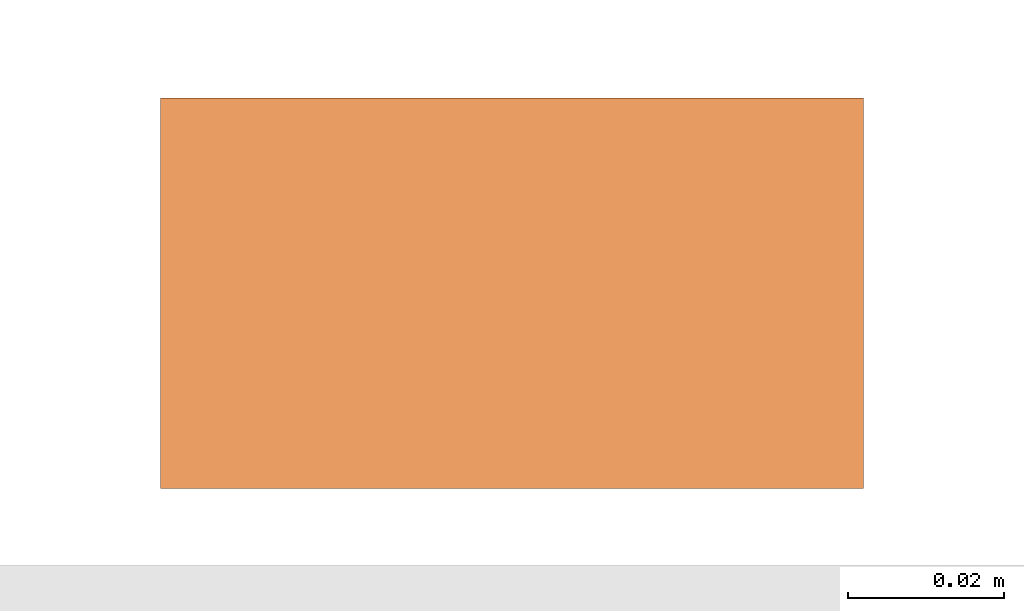
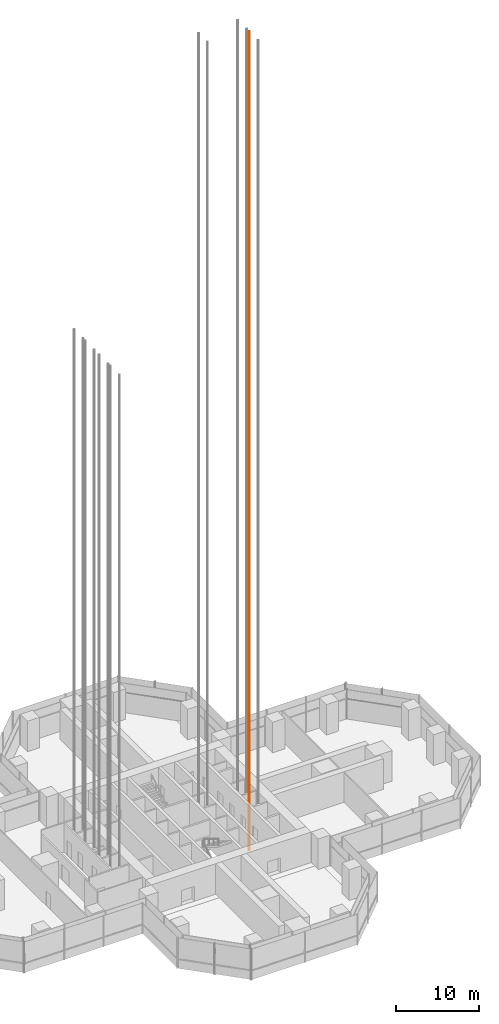
# One storey, part 30 of 34: 1 proxy.
"""IFC4 building model written with IfcOpenShell, lengths in metres."""

import ifcopenshell
import ifcopenshell.guid

model = None  # the IFC model being written
_history = None  # IfcOwnerHistory: only IFC2X3 demands one
_inside = {}  # id of a spatial element -> (the spatial element, [elements in it])
_under = {}  # id of a project, library or spatial element -> (it, [spatial elements below it])
_declared = {}  # id of a project -> (the project, [libraries it declares])
_typed = {}  # id of a type object -> (the type object, [elements of that type])
_made_of = {}  # id of a material, layer set ... -> (it, [elements and type objects made of it])


def new_model(schema):
    """Start an empty IFC model of exactly this schema.

    Asked for "IFC4X3", IfcOpenShell would pick the latest addendum, in which some entities
    have other attributes; the version numbers below select the first issue.
    IFC2X3 requires an IfcOwnerHistory on every rooted entity: one is made here for all.
    """
    global model, _history
    if schema == "IFC4X3":
        model = ifcopenshell.file(schema_version=(4, 3, 0, 0))
    else:
        model = ifcopenshell.file(schema=schema)
    _inside.clear()
    _under.clear()
    _declared.clear()
    _typed.clear()
    _made_of.clear()
    _history = None
    if model.schema == "IFC2X3":
        org = make("IfcOrganization", Name="unknown")
        user = make(
            "IfcPersonAndOrganization",
            ThePerson=make("IfcPerson", FamilyName="unknown"),
            TheOrganization=org,
        )
        app = make(
            "IfcApplication",
            ApplicationDeveloper=org,
            Version="unknown",
            ApplicationFullName="unknown",
            ApplicationIdentifier="unknown",
        )
        _history = make(
            "IfcOwnerHistory",
            OwningUser=user,
            OwningApplication=app,
            ChangeAction="ADDED",
            CreationDate=0,
        )
    return model


def make(cls, **values):
    """One entity of the class cls with the attributes given. An attribute that is None is left unset."""
    return model.create_entity(
        cls, **{name: value for name, value in values.items() if value is not None}
    )


def rooted(cls, **values):
    """An entity with a GlobalId (a new one), such as an element, a storey or a relation."""
    return make(cls, GlobalId=ifcopenshell.guid.new(), OwnerHistory=_history, **values)


def si_unit(unit_type, name, prefix=None):
    """IfcSIUnit, for example si_unit("LENGTHUNIT", "METRE", prefix="MILLI")."""
    return make("IfcSIUnit", UnitType=unit_type, Prefix=prefix, Name=name)


def assignment(units):
    """IfcUnitAssignment: the units of a project."""
    return None if units is None else make("IfcUnitAssignment", Units=units)


def point(xyz):
    """IfcCartesianPoint."""
    return None if xyz is None else make("IfcCartesianPoint", Coordinates=xyz)


def direction(xyz):
    """IfcDirection."""
    return None if xyz is None else make("IfcDirection", DirectionRatios=xyz)


def frame(location, z_axis=None, x_axis=None):
    """IfcAxis2Placement3D, a coordinate frame: its origin and axes. An axis left out is left unset."""
    return make(
        "IfcAxis2Placement3D",
        Location=point(location),
        Axis=direction(z_axis),
        RefDirection=direction(x_axis),
    )


def frame_2d(location, x_axis=None):
    """IfcAxis2Placement2D, a coordinate frame in the plane: its origin and x axis."""
    return make(
        "IfcAxis2Placement2D", Location=point(location), RefDirection=direction(x_axis)
    )


def origin():
    """The frame at (0, 0, 0) with its axes left unset."""
    return frame((0.0, 0.0, 0.0))


def origin_2d():
    """The frame at (0, 0) in the plane with its x axis left unset."""
    return frame_2d((0.0, 0.0))


def place(relative_to, where):
    """IfcLocalPlacement: puts the frame where relative to a parent placement (None: the world)."""
    return make(
        "IfcLocalPlacement", PlacementRelTo=relative_to, RelativePlacement=where
    )


def context(
    kind, dimensions, precision=None, world=None, true_north=None, identifier=None
):
    """IfcGeometricRepresentationContext, for example the 3D "Model" context."""
    return make(
        "IfcGeometricRepresentationContext",
        ContextIdentifier=identifier,
        ContextType=kind,
        CoordinateSpaceDimension=dimensions,
        Precision=precision,
        WorldCoordinateSystem=world,
        TrueNorth=true_north,
    )


def subcontext(parent, identifier, kind, view, scale=None):
    """IfcGeometricRepresentationSubContext, for example "Body" below "Model"."""
    return make(
        "IfcGeometricRepresentationSubContext",
        ContextIdentifier=identifier,
        ContextType=kind,
        ParentContext=parent,
        TargetScale=scale,
        TargetView=view,
    )


def project(units=None, contexts=None):
    """IfcProject with its units and contexts."""
    return rooted(
        "IfcProject",
        Name="project",
        RepresentationContexts=contexts,
        UnitsInContext=assignment(units),
    )


def spatial(cls, under=None, at=None, **own):
    """A site, building, storey or space (cls), placed at a placement, below another one or the project."""
    s = rooted(cls, ObjectPlacement=at, **own)
    if under is not None:
        _under.setdefault(under.id(), (under, []))[1].append(s)
    return s


def profile(cls, at=None, kind="AREA", **sizes):
    """A parametric profile (cls). Its sizes go by their IFC names, for example OverallWidth=200.0."""
    return make(cls, ProfileType=kind, Position=at, **sizes)


def rectangle(**sizes):
    """IfcRectangleProfileDef."""
    return profile("IfcRectangleProfileDef", **sizes)


def extrude(swept, where, along, depth):
    """IfcExtrudedAreaSolid: the profile swept, set in the frame where, extruded along a direction by depth."""
    return make(
        "IfcExtrudedAreaSolid",
        SweptArea=swept,
        Position=where,
        ExtrudedDirection=direction(along),
        Depth=depth,
    )


def shape(context_of_items, identifier, shape_type, items):
    """IfcShapeRepresentation: the items that make up one representation, for example the "Body"."""
    return make(
        "IfcShapeRepresentation",
        ContextOfItems=context_of_items,
        RepresentationIdentifier=identifier,
        RepresentationType=shape_type,
        Items=items,
    )


def material(Name=None, Category=None):
    """IfcMaterial."""
    return make("IfcMaterial", Name=Name, Category=Category)


def made_of(thing, what):
    """Note that an element or type object is made of a material, layer set ...; save() writes the relation."""
    if what is not None:
        _made_of.setdefault(what.id(), (what, []))[1].append(thing)
    return thing


def element(
    cls,
    number,
    at=None,
    inside=None,
    cuts=None,
    type_object=None,
    material=None,
    context=None,
    identifier="Body",
    shape_type=None,
    held_by="IfcProductDefinitionShape",
    body=None,
    shapes=None,
    **own,
):
    """One element of the class cls, such as IfcWall. Its Tag is "e" and its number.

    at: its placement. inside: the storey or other place that contains it. cuts: it is an
    opening in that element (IfcRelVoidsElement). A single representation is given by context,
    identifier, shape_type and body (its items); several are given by shapes. held_by: the class
    of the entity that holds the representations. save() writes the other relations.
    """
    e = rooted(cls, Tag="e%d" % number, ObjectPlacement=at, **own)
    if body is not None:
        shapes = [shape(context, identifier, shape_type, body)]
    if shapes is not None:
        e.Representation = make(held_by, Representations=shapes)
    if inside is not None:
        _inside.setdefault(inside.id(), (inside, []))[1].append(e)
    if cuts is not None:
        rooted(
            "IfcRelVoidsElement", RelatingBuildingElement=cuts, RelatedOpeningElement=e
        )
    if type_object is not None:
        _typed.setdefault(type_object.id(), (type_object, []))[1].append(e)
    return made_of(e, material)


def aggregate(whole, parts):
    """IfcRelAggregates: a whole, such as a stair, and the parts it consists of."""
    return rooted("IfcRelAggregates", RelatingObject=whole, RelatedObjects=parts)


def save(model, path):
    """Write the relations noted so far, then the file.

    IfcRelAggregates (storeys below a building ...), IfcRelContainedInSpatialStructure (elements
    in a storey), IfcRelDefinesByType, IfcRelAssociatesMaterial and IfcRelDeclares: one each for
    every whole, place, type object, material and project.
    """
    for whole, parts in _under.values():
        aggregate(whole, parts)
    for where, things in _inside.values():
        rooted(
            "IfcRelContainedInSpatialStructure",
            RelatedElements=things,
            RelatingStructure=where,
        )
    for kind, things in _typed.values():
        rooted("IfcRelDefinesByType", RelatedObjects=things, RelatingType=kind)
    for what, things in _made_of.values():
        rooted("IfcRelAssociatesMaterial", RelatedObjects=things, RelatingMaterial=what)
    for by, libraries in _declared.values():
        rooted("IfcRelDeclares", RelatingContext=by, RelatedDefinitions=libraries)
    model.write(path)


model = new_model("IFC4")

# Units and contexts
model_context = context("Model", 3, precision=1e-05, world=origin(), true_north=direction((0.0, 1.0)))
body_context = subcontext(model_context, "Body", "Model", "MODEL_VIEW")
ifc_project = project(units=[si_unit("LENGTHUNIT", "METRE"), si_unit("AREAUNIT", "SQUARE_METRE"), si_unit("VOLUMEUNIT", "CUBIC_METRE"), si_unit("PLANEANGLEUNIT", "RADIAN"), si_unit("MASSUNIT", "GRAM", prefix="KILO")], contexts=[model_context])

# Site, building, storey
site_placement = place(None, origin())
site = spatial("IfcSite", under=ifc_project, at=site_placement, CompositionType="ELEMENT")
building_placement = place(site_placement, origin())
building = spatial("IfcBuilding", under=site, at=building_placement, Name="Mizan Broadcast Tower", CompositionType="ELEMENT")
storey_placement = place(building_placement, frame((0.0, 0.0, 194.39990234375)))
storey = spatial("IfcBuildingStorey", under=building, at=storey_placement, Name="L45", CompositionType="ELEMENT", Elevation=194.39990234375)

# Proxy
ifc_material = material(Name="Steel guide rail", Category="steel")
proxy_placement = place(storey_placement, frame((8.800048828125, -0.2900390625, -3.89990234375), z_axis=(0.0, 0.0, 1.0), x_axis=(1.0, 0.0, 0.0)))
element("IfcBuildingElementProxy", 1, at=proxy_placement, inside=storey, material=ifc_material, Name="Guide rail LD2-2", PredefinedType="NOTDEFINED", context=body_context, shape_type="SweptSolid", body=[
    extrude(rectangle(XDim=0.090087890625, YDim=0.050048828125, at=origin_2d()), origin(), (0.0, 0.0, 1.0), 120.570068359375),
])

save(model, "model.ifc")
